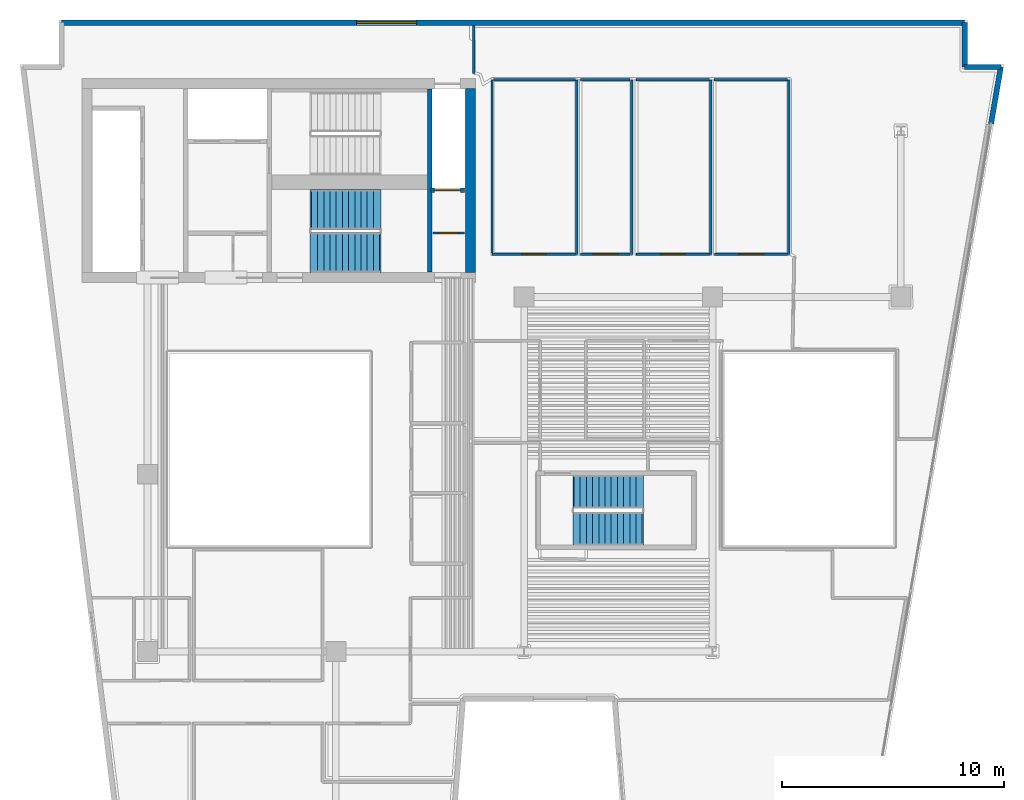
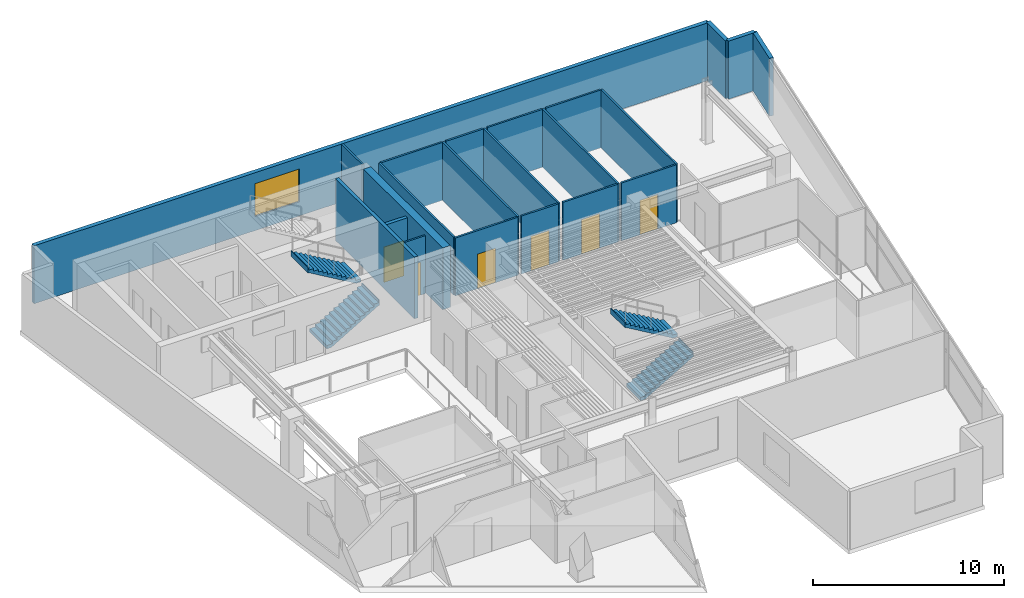
# One storey, part 6 of 10: 22 walls, 6 doors, 4 stair flights, 1 window, 7 openings, 2 elements without a shape of their own.
"""IFC4 building model written with IfcOpenShell, lengths in metres."""

from ifc_helpers import new_model, si_unit, direction, frame, frame_2d, origin, place, context, subcontext, project, spatial, polyline, rectangle, outline, extrude, material, layer, layer_set, type_object, element, fill, aggregate, save


model = new_model("IFC4")

# Units and contexts
model_context = context("Model", 3, precision=1e-05, world=origin(), true_north=direction((0.0, 1.0)))
body_context = subcontext(model_context, "Body", "Model", "MODEL_VIEW")
ifc_project = project(units=[si_unit("LENGTHUNIT", "METRE"), si_unit("AREAUNIT", "SQUARE_METRE"), si_unit("VOLUMEUNIT", "CUBIC_METRE"), si_unit("PLANEANGLEUNIT", "RADIAN"), si_unit("MASSUNIT", "GRAM", prefix="KILO")], contexts=[model_context])

# Site, building, storey
site_placement = place(None, origin())
site = spatial("IfcSite", under=ifc_project, at=site_placement, CompositionType="ELEMENT")
building_placement = place(site_placement, origin())
building = spatial("IfcBuilding", under=site, at=building_placement, Name="Caeloran Harvest Quay", CompositionType="ELEMENT")
storey_placement = place(building_placement, frame((0.0, 0.0, 219.300048828125)))
storey = spatial("IfcBuildingStorey", under=building, at=storey_placement, Name="L52", CompositionType="ELEMENT", Elevation=219.300048828125)

# Wall, opening, window
ifc_material_1 = material(Name="Precast concrete C50/60", Category="concrete")
ifc_layer_1 = layer(ifc_material_1, 0.239990234375, Name="Precast concrete C50/60")
ifc_layer_set_1 = layer_set([ifc_layer_1], Name="Precast concrete C50/60")
wall_type_1 = type_object("IfcWallType", Name="ENV-WALL-EW-240", PredefinedType="STANDARD", material=ifc_layer_set_1)
wall_1_placement = place(storey_placement, frame((4.6201171875, 43.3798828125, 0.0), z_axis=(0.0, 0.0, 1.0), x_axis=(1.0, 0.0, 0.0)))
wall_1 = element("IfcWall", 1, at=wall_1_placement, inside=storey, type_object=wall_type_1, Name="L52 Exterior Precast Concrete Facade Wall 6", PredefinedType="STANDARD", context=body_context, shape_type="SweptSolid", body=[
    extrude(rectangle(XDim=40.759765625, YDim=0.239990234375, at=frame_2d((20.3798828125, 0.0))), origin(), (0.0, 0.0, 1.0), 3.699951171875),
])
opening_1_placement = place(wall_1_placement, frame((13.323974609375, 0.0, 0.89990234375)))
opening_1 = element("IfcOpeningElement", 2, at=opening_1_placement, cuts=wall_1, Name="Opening W-07", PredefinedType="OPENING", context=body_context, shape_type="SweptSolid", body=[
    extrude(rectangle(XDim=2.699951171875, YDim=2.10009765625, at=frame_2d((1.35009765625, 1.050048828125))), frame((0.0, 0.1298828125, 0.0), z_axis=(0.0, -1.0, 0.0), x_axis=(1.0, 0.0, 0.0)), (0.0, 0.0, 1.0), 0.260009765625),
])
ifc_material_2 = material(Name="Aluminium-Framed Low-E Laminated Glass", Category="aluminium")
window_type = type_object("IfcWindowType", Name="WIN-W-07", PartitioningType="DOUBLE_PANEL_VERTICAL", PredefinedType="WINDOW", material=ifc_material_2)
window_placement = place(opening_1_placement, origin())
window = element("IfcWindow", 3, at=window_placement, inside=storey, type_object=window_type, Name="L52 Facade Punched Window W-07", OverallHeight=2.10009765625, OverallWidth=2.699951171875, PartitioningType="DOUBLE_PANEL_VERTICAL", PredefinedType="WINDOW", context=body_context, shape_type="SweptSolid", body=[
    extrude(rectangle(XDim=2.699951171875, YDim=2.10009765625, at=frame_2d((1.35009765625, 1.050048828125))), frame((0.0, 0.030029296875, 0.0), z_axis=(0.0, -1.0, 0.0), x_axis=(1.0, 0.0, 0.0)), (0.0, 0.0, 1.0), 0.06005859375),
])
fill(opening_1, window)

# Walls
wall_2_placement = place(storey_placement, frame((45.3798828125, 43.3798828125, 0.0), z_axis=(0.0, 0.0, 1.0), x_axis=(0.0, -1.0, 0.0)))
element("IfcWall", 4, at=wall_2_placement, inside=storey, type_object=wall_type_1, Name="L52 Exterior Precast Concrete Facade Wall 7", PredefinedType="STANDARD", context=body_context, shape_type="SweptSolid", body=[
    extrude(rectangle(XDim=2.0, YDim=0.239990234375, at=frame_2d((1.0, 0.0))), origin(), (0.0, 0.0, 1.0), 3.699951171875),
])
wall_3_placement = place(storey_placement, frame((45.3798828125, 41.3798828125, 0.0), z_axis=(0.0, 0.0, 1.0), x_axis=(1.0, 0.0, 0.0)))
element("IfcWall", 5, at=wall_3_placement, inside=storey, type_object=wall_type_1, Name="L52 Exterior Precast Concrete Facade Wall 8", PredefinedType="STANDARD", context=body_context, shape_type="SweptSolid", body=[
    extrude(rectangle(XDim=1.634033203125, YDim=0.239990234375, at=frame_2d((0.81689453125, 0.0))), origin(), (0.0, 0.0, 1.0), 3.699951171875),
])
wall_4_placement = place(storey_placement, frame((47.013916015625, 41.3798828125, 0.0), z_axis=(0.0, 0.0, 1.0), x_axis=(-0.169406892601, -0.985546196147, 0.0)))
element("IfcWall", 6, at=wall_4_placement, inside=storey, type_object=wall_type_1, Name="L52 Exterior Facade Corner Pier Wall 9A", PredefinedType="STANDARD", context=body_context, shape_type="SweptSolid", body=[
    extrude(rectangle(XDim=2.599853515625, YDim=0.239990234375, at=frame_2d((1.2998046875, 0.0))), origin(), (0.0, 0.0, 1.0), 3.699951171875),
])

# Wall, opening, door
ifc_material_3 = material(Name="Fire-Resisting Gypsum Core Riser Partition", Category="gypsum")
ifc_layer_2 = layer(ifc_material_3, 0.10009765625, Name="Fire-Resisting Gypsum Core Riser Partition")
ifc_layer_set_2 = layer_set([ifc_layer_2], Name="Fire-Resisting Gypsum Core Riser Partition")
wall_type_2 = type_object("IfcWallType", Name="INT-WALL-PW-100", PredefinedType="PARTITIONING", material=ifc_layer_set_2)
wall_5_placement = place(storey_placement, frame((21.3798828125, 33.889892578125, 0.0), z_axis=(0.0, 0.0, 1.0), x_axis=(1.0, 0.0, 0.0)))
wall_5 = element("IfcWall", 7, at=wall_5_placement, inside=storey, type_object=wall_type_2, Name="L52 Cleaner Store Partition Wall", PredefinedType="PARTITIONING", context=body_context, shape_type="SweptSolid", body=[
    extrude(rectangle(XDim=1.420166015625, YDim=0.10009765625, at=frame_2d((0.7099609375, 0.0))), origin(), (0.0, 0.0, 1.0), 3.699951171875),
])
opening_2_placement = place(wall_5_placement, frame((0.280029296875, 0.0, 0.0)))
opening_2 = element("IfcOpeningElement", 8, at=opening_2_placement, cuts=wall_5, Name="Opening SV-01", PredefinedType="OPENING", context=body_context, shape_type="SweptSolid", body=[
    extrude(rectangle(XDim=0.85009765625, YDim=2.10009765625, at=frame_2d((0.425048828125, 1.050048828125))), frame((0.0, 0.06005859375, 0.0), z_axis=(0.0, -1.0, 0.0), x_axis=(1.0, 0.0, 0.0)), (0.0, 0.0, 1.0), 0.1201171875),
])
ifc_material_4 = material(Name="Galvanized Painted Steel", Category="steel")
door_type_1 = type_object("IfcDoorType", Name="INTDOOR-SV-01", OperationType="NOTDEFINED", PredefinedType="DOOR", material=ifc_material_4)
door_1_placement = place(opening_2_placement, origin())
door_1 = element("IfcDoor", 9, at=door_1_placement, inside=storey, type_object=door_type_1, Name="L52 Cleaner Supply Store Access Door", OperationType="SINGLE_SWING_RIGHT", OverallHeight=2.10009765625, OverallWidth=0.85009765625, PredefinedType="DOOR", context=body_context, shape_type="SweptSolid", body=[
    extrude(rectangle(XDim=0.85009765625, YDim=2.10009765625, at=frame_2d((0.425048828125, 1.050048828125))), frame((0.0, 0.02490234375, 0.0), z_axis=(0.0, -1.0, 0.0), x_axis=(1.0, 0.0, 0.0)), (0.0, 0.0, 1.0), 0.050048828125),
])
fill(opening_2, door_1)

# Wall
ifc_material_5 = material(Name="Single-Stud Acoustic Gypsum Office Partition", Category="gypsum")
ifc_layer_3 = layer(ifc_material_5, 0.112060546875, Name="Single-Stud Acoustic Gypsum Office Partition")
ifc_layer_set_3 = layer_set([ifc_layer_3], Name="Single-Stud Acoustic Gypsum Office Partition")
wall_type_3 = type_object("IfcWallType", Name="INT-WALL-PW-112", PredefinedType="PARTITIONING", material=ifc_layer_set_3)
wall_6_placement = place(storey_placement, frame((27.8798828125, 40.800048828125, 0.0), z_axis=(0.0, 0.0, 1.0), x_axis=(0.0, -1.0, 0.0)))
element("IfcWall", 10, at=wall_6_placement, inside=storey, type_object=wall_type_3, Name="L52 Crop Phenotyping West Laboratory Partition Wall", PredefinedType="PARTITIONING", context=body_context, shape_type="SweptSolid", body=[
    extrude(rectangle(XDim=7.880126953125, YDim=0.112060546875, at=frame_2d((3.93994140625, 0.0))), origin(), (0.0, 0.0, 1.0), 3.699951171875),
])

# Wall, opening, door
wall_7_placement = place(storey_placement, frame((27.819091796875, 32.919921875, 0.0), z_axis=(0.0, 0.0, 1.0), x_axis=(-1.0, 0.0, 0.0)))
wall_7 = element("IfcWall", 11, at=wall_7_placement, inside=storey, type_object=wall_type_3, Name="L52 Crop Phenotyping West Laboratory Partition Wall", PredefinedType="PARTITIONING", context=body_context, shape_type="SweptSolid", body=[
    extrude(rectangle(XDim=3.76904296875, YDim=0.112060546875, at=frame_2d((1.884521484375, 0.0))), origin(), (0.0, 0.0, 1.0), 3.699951171875),
])
opening_3_placement = place(wall_7_placement, frame((1.33447265625, 0.0, 0.0)))
opening_3 = element("IfcOpeningElement", 12, at=opening_3_placement, cuts=wall_7, Name="Opening ID-04", PredefinedType="OPENING", context=body_context, shape_type="SweptSolid", body=[
    extrude(rectangle(XDim=1.10009765625, YDim=2.199951171875, at=frame_2d((0.550048828125, 1.10009765625))), frame((0.0, 0.06591796875, 0.0), z_axis=(0.0, -1.0, 0.0), x_axis=(1.0, 0.0, 0.0)), (0.0, 0.0, 1.0), 0.132080078125),
])
ifc_material_6 = material(Name="Acoustic Walnut Veneer Executive Door", Category="wood")
door_type_2 = type_object("IfcDoorType", Name="INTDOOR-ID-04", OperationType="NOTDEFINED", PredefinedType="DOOR", material=ifc_material_6)
door_2_placement = place(opening_3_placement, origin())
door_2 = element("IfcDoor", 13, at=door_2_placement, inside=storey, type_object=door_type_2, Name="L52 Crop Phenotyping West Laboratory Access Door", OperationType="SINGLE_SWING_LEFT", OverallHeight=2.199951171875, OverallWidth=1.10009765625, PredefinedType="DOOR", context=body_context, shape_type="SweptSolid", body=[
    extrude(rectangle(XDim=1.10009765625, YDim=2.199951171875, at=frame_2d((0.550048828125, 1.10009765625))), frame((0.0, 0.02490234375, 0.0), z_axis=(0.0, -1.0, 0.0), x_axis=(1.0, 0.0, 0.0)), (0.0, 0.0, 1.0), 0.050048828125),
])
fill(opening_3, door_2)

# Walls
wall_8_placement = place(storey_placement, frame((24.050048828125, 32.98095703125, 0.0), z_axis=(0.0, 0.0, 1.0), x_axis=(0.0, 1.0, 0.0)))
element("IfcWall", 14, at=wall_8_placement, inside=storey, type_object=wall_type_3, Name="L52 Crop Phenotyping West Laboratory Partition Wall", PredefinedType="PARTITIONING", context=body_context, shape_type="SweptSolid", body=[
    extrude(rectangle(XDim=7.819091796875, YDim=0.112060546875, at=frame_2d((3.90966796875, 0.0))), origin(), (0.0, 0.0, 1.0), 3.699951171875),
])
wall_9_placement = place(storey_placement, frame((24.111083984375, 40.800048828125, 0.0), z_axis=(0.0, 0.0, 1.0), x_axis=(1.0, 0.0, 0.0)))
element("IfcWall", 15, at=wall_9_placement, inside=storey, type_object=wall_type_3, Name="L52 Crop Phenotyping West Laboratory Partition Wall", PredefinedType="PARTITIONING", context=body_context, shape_type="SweptSolid", body=[
    extrude(rectangle(XDim=3.7080078125, YDim=0.112060546875, at=frame_2d((1.85400390625, 0.0))), origin(), (0.0, 0.0, 1.0), 3.699951171875),
])
wall_10_placement = place(storey_placement, frame((30.35009765625, 40.800048828125, 0.0), z_axis=(0.0, 0.0, 1.0), x_axis=(0.0, -1.0, 0.0)))
element("IfcWall", 16, at=wall_10_placement, inside=storey, type_object=wall_type_3, Name="L52 Genomics Sequencing East Studio Partition Wall", PredefinedType="PARTITIONING", context=body_context, shape_type="SweptSolid", body=[
    extrude(rectangle(XDim=7.880126953125, YDim=0.112060546875, at=frame_2d((3.93994140625, 0.0))), origin(), (0.0, 0.0, 1.0), 3.699951171875),
])

# Wall, opening, door
wall_11_placement = place(storey_placement, frame((30.2890625, 32.919921875, 0.0), z_axis=(0.0, 0.0, 1.0), x_axis=(-1.0, 0.0, 0.0)))
wall_11 = element("IfcWall", 17, at=wall_11_placement, inside=storey, type_object=wall_type_3, Name="L52 Genomics Sequencing East Studio Partition Wall", PredefinedType="PARTITIONING", context=body_context, shape_type="SweptSolid", body=[
    extrude(rectangle(XDim=2.2490234375, YDim=0.112060546875, at=frame_2d((1.12451171875, 0.0))), origin(), (0.0, 0.0, 1.0), 3.699951171875),
])
opening_4_placement = place(wall_11_placement, frame((0.574462890625, 0.0, 0.0)))
opening_4 = element("IfcOpeningElement", 18, at=opening_4_placement, cuts=wall_11, Name="Opening ID-04", PredefinedType="OPENING", context=body_context, shape_type="SweptSolid", body=[
    extrude(rectangle(XDim=1.10009765625, YDim=2.199951171875, at=frame_2d((0.550048828125, 1.10009765625))), frame((0.0, 0.06591796875, 0.0), z_axis=(0.0, -1.0, 0.0), x_axis=(1.0, 0.0, 0.0)), (0.0, 0.0, 1.0), 0.132080078125),
])
door_3_placement = place(opening_4_placement, origin())
door_3 = element("IfcDoor", 19, at=door_3_placement, inside=storey, type_object=door_type_2, Name="L52 Genomics Sequencing East Studio Access Door", OperationType="SINGLE_SWING_RIGHT", OverallHeight=2.199951171875, OverallWidth=1.10009765625, PredefinedType="DOOR", context=body_context, shape_type="SweptSolid", body=[
    extrude(rectangle(XDim=1.10009765625, YDim=2.199951171875, at=frame_2d((0.550048828125, 1.10009765625))), frame((0.0, 0.02490234375, 0.0), z_axis=(0.0, -1.0, 0.0), x_axis=(1.0, 0.0, 0.0)), (0.0, 0.0, 1.0), 0.050048828125),
])
fill(opening_4, door_3)

# Walls
wall_12_placement = place(storey_placement, frame((28.0400390625, 40.800048828125, 0.0), z_axis=(0.0, 0.0, 1.0), x_axis=(1.0, 0.0, 0.0)))
element("IfcWall", 20, at=wall_12_placement, inside=storey, type_object=wall_type_3, Name="L52 Genomics Sequencing East Studio Partition Wall", PredefinedType="PARTITIONING", context=body_context, shape_type="SweptSolid", body=[
    extrude(rectangle(XDim=2.2490234375, YDim=0.112060546875, at=frame_2d((1.12451171875, 0.0))), origin(), (0.0, 0.0, 1.0), 3.699951171875),
])
wall_13_placement = place(storey_placement, frame((33.919921875, 40.800048828125, 0.0), z_axis=(0.0, 0.0, 1.0), x_axis=(0.0, -1.0, 0.0)))
element("IfcWall", 21, at=wall_13_placement, inside=storey, type_object=wall_type_3, Name="L52 Agri-Genomics West Boardroom Partition Wall", PredefinedType="PARTITIONING", context=body_context, shape_type="SweptSolid", body=[
    extrude(rectangle(XDim=7.880126953125, YDim=0.112060546875, at=frame_2d((3.93994140625, 0.0))), origin(), (0.0, 0.0, 1.0), 3.699951171875),
])

# Wall, opening, door
wall_14_placement = place(storey_placement, frame((33.85888671875, 32.919921875, 0.0), z_axis=(0.0, 0.0, 1.0), x_axis=(-1.0, 0.0, 0.0)))
wall_14 = element("IfcWall", 22, at=wall_14_placement, inside=storey, type_object=wall_type_3, Name="L52 Agri-Genomics West Boardroom Partition Wall", PredefinedType="PARTITIONING", context=body_context, shape_type="SweptSolid", body=[
    extrude(rectangle(XDim=3.308837890625, YDim=0.112060546875, at=frame_2d((1.654296875, 0.0))), origin(), (0.0, 0.0, 1.0), 3.699951171875),
])
opening_5_placement = place(wall_14_placement, frame((1.1044921875, 0.0, 0.0)))
opening_5 = element("IfcOpeningElement", 23, at=opening_5_placement, cuts=wall_14, Name="Opening ID-04", PredefinedType="OPENING", context=body_context, shape_type="SweptSolid", body=[
    extrude(rectangle(XDim=1.10009765625, YDim=2.199951171875, at=frame_2d((0.550048828125, 1.10009765625))), frame((0.0, 0.06591796875, 0.0), z_axis=(0.0, -1.0, 0.0), x_axis=(1.0, 0.0, 0.0)), (0.0, 0.0, 1.0), 0.132080078125),
])
door_4_placement = place(opening_5_placement, origin())
door_4 = element("IfcDoor", 24, at=door_4_placement, inside=storey, type_object=door_type_2, Name="L52 Agri-Genomics West Boardroom Access Door", OperationType="SINGLE_SWING_LEFT", OverallHeight=2.199951171875, OverallWidth=1.10009765625, PredefinedType="DOOR", context=body_context, shape_type="SweptSolid", body=[
    extrude(rectangle(XDim=1.10009765625, YDim=2.199951171875, at=frame_2d((0.550048828125, 1.10009765625))), frame((0.0, 0.02490234375, 0.0), z_axis=(0.0, -1.0, 0.0), x_axis=(1.0, 0.0, 0.0)), (0.0, 0.0, 1.0), 0.050048828125),
])
fill(opening_5, door_4)

# Walls
wall_15_placement = place(storey_placement, frame((30.550048828125, 40.800048828125, 0.0), z_axis=(0.0, 0.0, 1.0), x_axis=(1.0, 0.0, 0.0)))
element("IfcWall", 25, at=wall_15_placement, inside=storey, type_object=wall_type_3, Name="L52 Agri-Genomics West Boardroom Partition Wall", PredefinedType="PARTITIONING", context=body_context, shape_type="SweptSolid", body=[
    extrude(rectangle(XDim=3.308837890625, YDim=0.112060546875, at=frame_2d((1.654296875, 0.0))), origin(), (0.0, 0.0, 1.0), 3.699951171875),
])
wall_16_placement = place(storey_placement, frame((37.449951171875, 40.800048828125, 0.0), z_axis=(0.0, 0.0, 1.0), x_axis=(0.0, -1.0, 0.0)))
element("IfcWall", 26, at=wall_16_placement, inside=storey, type_object=wall_type_3, Name="L52 Executive Strategy East Office Partition Wall", PredefinedType="PARTITIONING", context=body_context, shape_type="SweptSolid", body=[
    extrude(rectangle(XDim=7.880126953125, YDim=0.112060546875, at=frame_2d((3.93994140625, 0.0))), origin(), (0.0, 0.0, 1.0), 3.699951171875),
])

# Wall, opening, door
wall_17_placement = place(storey_placement, frame((37.388916015625, 32.919921875, 0.0), z_axis=(0.0, 0.0, 1.0), x_axis=(-1.0, 0.0, 0.0)))
wall_17 = element("IfcWall", 27, at=wall_17_placement, inside=storey, type_object=wall_type_3, Name="L52 Executive Strategy East Office Partition Wall", PredefinedType="PARTITIONING", context=body_context, shape_type="SweptSolid", body=[
    extrude(rectangle(XDim=3.308837890625, YDim=0.112060546875, at=frame_2d((1.654296875, 0.0))), origin(), (0.0, 0.0, 1.0), 3.699951171875),
])
opening_6_placement = place(wall_17_placement, frame((1.1044921875, 0.0, 0.0)))
opening_6 = element("IfcOpeningElement", 28, at=opening_6_placement, cuts=wall_17, Name="Opening ID-04", PredefinedType="OPENING", context=body_context, shape_type="SweptSolid", body=[
    extrude(rectangle(XDim=1.10009765625, YDim=2.199951171875, at=frame_2d((0.550048828125, 1.10009765625))), frame((0.0, 0.06591796875, 0.0), z_axis=(0.0, -1.0, 0.0), x_axis=(1.0, 0.0, 0.0)), (0.0, 0.0, 1.0), 0.132080078125),
])
door_5_placement = place(opening_6_placement, origin())
door_5 = element("IfcDoor", 29, at=door_5_placement, inside=storey, type_object=door_type_2, Name="L52 Executive Strategy East Office Access Door", OperationType="SINGLE_SWING_RIGHT", OverallHeight=2.199951171875, OverallWidth=1.10009765625, PredefinedType="DOOR", context=body_context, shape_type="SweptSolid", body=[
    extrude(rectangle(XDim=1.10009765625, YDim=2.199951171875, at=frame_2d((0.550048828125, 1.10009765625))), frame((0.0, 0.02490234375, 0.0), z_axis=(0.0, -1.0, 0.0), x_axis=(1.0, 0.0, 0.0)), (0.0, 0.0, 1.0), 0.050048828125),
])
fill(opening_6, door_5)

# Walls
wall_18_placement = place(storey_placement, frame((34.080078125, 40.800048828125, 0.0), z_axis=(0.0, 0.0, 1.0), x_axis=(1.0, 0.0, 0.0)))
element("IfcWall", 30, at=wall_18_placement, inside=storey, type_object=wall_type_3, Name="L52 Executive Strategy East Office Partition Wall", PredefinedType="PARTITIONING", context=body_context, shape_type="SweptSolid", body=[
    extrude(rectangle(XDim=3.308837890625, YDim=0.112060546875, at=frame_2d((1.654296875, 0.0))), origin(), (0.0, 0.0, 1.0), 3.699951171875),
])
wall_19_placement = place(storey_placement, frame((23.22998046875, 41.093017578125, 0.0), z_axis=(0.0, 0.0, 1.0), x_axis=(0.0, 1.0, 0.0)))
element("IfcWall", 31, at=wall_19_placement, inside=storey, type_object=wall_type_3, Name="Portfolio Catering Kitchen 10 Partition Wall", PredefinedType="PARTITIONING", context=body_context, shape_type="SweptSolid", body=[
    extrude(rectangle(XDim=2.161865234375, YDim=0.112060546875, at=frame_2d((1.0810546875, 0.0))), origin(), (0.0, 0.0, 1.0), 3.699951171875),
])

# Wall, opening, door
ifc_material_7 = material(Name="Concrete C50/60", Category="concrete")
ifc_layer_4 = layer(ifc_material_7, 0.199951171875, Name="Concrete C50/60")
ifc_layer_set_4 = layer_set([ifc_layer_4], Name="Concrete C50/60")
wall_type_4 = type_object("IfcWallType", Name="INT-WALL-SW-200", PredefinedType="PARTITIONING", material=ifc_layer_set_4)
wall_20_placement = place(storey_placement, frame((21.300048828125, 35.820068359375, 0.0), z_axis=(0.0, 0.0, 1.0), x_axis=(1.0, 0.0, 0.0)))
wall_20 = element("IfcWall", 32, at=wall_20_placement, inside=storey, type_object=wall_type_4, Name="L52 Service Lift SV-2 Shaft Wall", PredefinedType="PARTITIONING", context=body_context, shape_type="SweptSolid", body=[
    extrude(rectangle(XDim=1.5, YDim=0.199951171875, at=frame_2d((0.75, 0.0))), origin(), (0.0, 0.0, 1.0), 3.699951171875),
])
opening_7_placement = place(wall_20_placement, frame((0.14501953125, 0.0, 0.0)))
opening_7 = element("IfcOpeningElement", 33, at=opening_7_placement, cuts=wall_20, Name="Opening LD-02", PredefinedType="OPENING", context=body_context, shape_type="SweptSolid", body=[
    extrude(rectangle(XDim=1.179931640625, YDim=2.25, at=frame_2d((0.58984375, 1.125))), frame((0.0, 0.10986328125, 0.0), z_axis=(0.0, -1.0, 0.0), x_axis=(1.0, 0.0, 0.0)), (0.0, 0.0, 1.0), 0.219970703125),
])
ifc_material_8 = material(Name="Stainless Steel Grade 316", Category="steel")
door_type_3 = type_object("IfcDoorType", Name="INTDOOR-LD-02", OperationType="NOTDEFINED", PredefinedType="DOOR", material=ifc_material_8)
door_6_placement = place(opening_7_placement, origin())
door_6 = element("IfcDoor", 34, at=door_6_placement, inside=storey, type_object=door_type_3, Name="Lift SV-2 Sliding Landing Door (L52)", OperationType="DOUBLE_DOOR_SLIDING", OverallHeight=2.25, OverallWidth=1.179931640625, PredefinedType="DOOR", context=body_context, shape_type="SweptSolid", body=[
    extrude(rectangle(XDim=1.179931640625, YDim=2.25, at=frame_2d((0.58984375, 1.125))), frame((0.0, 0.02490234375, 0.0), z_axis=(0.0, -1.0, 0.0), x_axis=(1.0, 0.0, 0.0)), (0.0, 0.0, 1.0), 0.050048828125),
])
fill(opening_7, door_6)

# Walls
ifc_material_9 = material(Name="Concrete C60/75", Category="concrete")
ifc_layer_5 = layer(ifc_material_9, 0.449951171875, Name="Concrete C60/75")
ifc_layer_set_5 = layer_set([ifc_layer_5], Name="Concrete C60/75")
wall_type_5 = type_object("IfcWallType", Name="STR-WALL-CW-450", PredefinedType="SHEAR", material=ifc_layer_set_5)
wall_21_placement = place(storey_placement, frame((23.074951171875, 32.10009765625, 0.0), z_axis=(0.0, 0.0, 1.0), x_axis=(0.0, 1.0, 0.0)))
element("IfcWall", 35, at=wall_21_placement, inside=storey, type_object=wall_type_5, Name="L52 Rear Core Shear Wall E", PredefinedType="SHEAR", context=body_context, shape_type="SweptSolid", body=[
    extrude(rectangle(XDim=8.2998046875, YDim=0.449951171875, at=frame_2d((4.14990234375, 0.0))), origin(), (0.0, 0.0, 1.0), 3.949951171875),
])
ifc_layer_6 = layer(ifc_material_9, 0.199951171875, Name="Concrete C60/75")
ifc_layer_set_6 = layer_set([ifc_layer_6], Name="Concrete C60/75")
wall_type_6 = type_object("IfcWallType", Name="STR-WALL-SW-200", PredefinedType="SHEAR", material=ifc_layer_set_6)
wall_22_placement = place(storey_placement, frame((21.25, 32.1201171875, 0.0), z_axis=(0.0, 0.0, 1.0), x_axis=(0.0, 1.0, 0.0)))
element("IfcWall", 36, at=wall_22_placement, inside=storey, type_object=wall_type_6, Name="L52 Core Stair Shaft East Shear Wall", PredefinedType="SHEAR", context=body_context, shape_type="SweptSolid", body=[
    extrude(rectangle(XDim=8.259765625, YDim=0.199951171875, at=frame_2d((4.1298828125, 0.0))), origin(), (0.0, 0.0, 1.0), 3.949951171875),
])

# Stair, stair flights
stair_type_1 = type_object("IfcStairType", Name="STAIR-STC-180", PredefinedType="HALF_TURN_STAIR", material=ifc_material_7)
stair_1_placement = place(storey_placement, origin())
stair_1 = element("IfcStair", 37, at=stair_1_placement, inside=storey, type_object=stair_type_1, Name="L52 Core Pressurized Exit Stair ST-C2", PredefinedType="HALF_TURN_STAIR")
stair_flight_type_1 = type_object("IfcStairFlightType", Name="FLIGHT-STC-180", PredefinedType="STRAIGHT", material=ifc_material_7)
stair_flight_1_placement = place(storey_placement, frame((15.89990234375, 33.0, 0.0), z_axis=(0.0, 0.0, 1.0), x_axis=(1.0, 0.0, 0.0)))
stair_flight_1 = element("IfcStairFlight", 38, at=stair_flight_1_placement, type_object=stair_flight_type_1, Name="ST-C2 flight 1", NumberOfRisers=12, NumberOfTreads=11, PredefinedType="STRAIGHT", RiserHeight=0.164583333, TreadLength=0.28, context=body_context, shape_type="SweptSolid", body=[
    extrude(outline(polyline([(-0.054931640625, -0.044921875), (-0.054931640625, -0.031982421875), (-0.054931640625, -0.018798828125), (-0.054931640625, -0.005615234375), (-0.054931640625, 0.00732421875), (-0.054931640625, 0.0205078125), (-0.054931640625, 0.03369140625), (-0.054931640625, 0.046630859375), (-0.054931640625, 0.059814453125), (-0.054931640625, 0.072998046875), (-0.054931640625, 0.0859375), (-0.054931640625, 0.09912109375), (-0.054931640625, 0.1123046875), (-0.054931640625, 0.125244140625), (-0.054931640625, 0.138427734375), (-0.054931640625, 0.1513671875), (-0.054931640625, 0.16455078125), (0.280029296875, 0.16455078125), (0.280029296875, 0.3291015625), (0.56005859375, 0.3291015625), (0.56005859375, 0.49365234375), (0.840087890625, 0.49365234375), (0.840087890625, 0.658447265625), (1.1201171875, 0.658447265625), (1.1201171875, 0.822998046875), (1.39990234375, 0.822998046875), (1.39990234375, 0.987548828125), (1.679931640625, 0.987548828125), (1.679931640625, 1.152099609375), (1.9599609375, 1.152099609375), (1.9599609375, 1.316650390625), (2.239990234375, 1.316650390625), (2.239990234375, 1.481201171875), (2.52001953125, 1.481201171875), (2.52001953125, 1.645751953125), (2.800048828125, 1.645751953125), (2.800048828125, 1.810302734375), (3.080078125, 1.810302734375), (3.080078125, 1.97509765625), (3.135009765625, 1.97509765625), (3.135009765625, 1.953857421875), (3.135009765625, 1.9326171875), (3.135009765625, 1.91162109375), (3.135009765625, 1.890380859375), (3.135009765625, 1.869140625), (3.135009765625, 1.84814453125), (3.135009765625, 1.826904296875), (3.135009765625, 1.8056640625), (3.135009765625, 1.78466796875), (3.135009765625, 1.763427734375), (3.135009765625, 1.7421875), (3.135009765625, 1.72119140625), (3.135009765625, 1.699951171875), (3.135009765625, 1.678955078125), (3.135009765625, 1.65771484375), (3.135009765625, 1.636474609375), (3.080078125, 1.636474609375), (0.21923828125, -0.044921875), (-0.054931640625, -0.044921875)])), frame((0.0, 0.89990234375, 0.0), z_axis=(0.0, -1.0, 0.0), x_axis=(1.0, 0.0, 0.0)), (0.0, 0.0, 1.0), 1.800048828125),
])
stair_flight_2_placement = place(storey_placement, frame((18.97998046875, 34.949951171875, 1.974853515625), z_axis=(0.0, 0.0, 1.0), x_axis=(-1.0, 0.0, 0.0)))
stair_flight_2 = element("IfcStairFlight", 39, at=stair_flight_2_placement, type_object=stair_flight_type_1, Name="ST-C2 flight 2", NumberOfRisers=12, NumberOfTreads=11, PredefinedType="STRAIGHT", RiserHeight=0.164583333, TreadLength=0.28, context=body_context, shape_type="SweptSolid", body=[
    extrude(outline(polyline([(-0.054931640625, -0.044921875), (-0.054931640625, -0.031982421875), (-0.054931640625, -0.018798828125), (-0.054931640625, -0.005615234375), (-0.054931640625, 0.00732421875), (-0.054931640625, 0.0205078125), (-0.054931640625, 0.03369140625), (-0.054931640625, 0.046630859375), (-0.054931640625, 0.059814453125), (-0.054931640625, 0.072998046875), (-0.054931640625, 0.0859375), (-0.054931640625, 0.09912109375), (-0.054931640625, 0.1123046875), (-0.054931640625, 0.125244140625), (-0.054931640625, 0.138427734375), (-0.054931640625, 0.1513671875), (-0.054931640625, 0.16455078125), (0.280029296875, 0.16455078125), (0.280029296875, 0.3291015625), (0.56005859375, 0.3291015625), (0.56005859375, 0.49365234375), (0.840087890625, 0.49365234375), (0.840087890625, 0.658447265625), (1.1201171875, 0.658447265625), (1.1201171875, 0.822998046875), (1.39990234375, 0.822998046875), (1.39990234375, 0.987548828125), (1.679931640625, 0.987548828125), (1.679931640625, 1.152099609375), (1.9599609375, 1.152099609375), (1.9599609375, 1.316650390625), (2.239990234375, 1.316650390625), (2.239990234375, 1.481201171875), (2.52001953125, 1.481201171875), (2.52001953125, 1.645751953125), (2.800048828125, 1.645751953125), (2.800048828125, 1.810302734375), (3.080078125, 1.810302734375), (3.080078125, 1.97509765625), (3.135009765625, 1.97509765625), (3.135009765625, 1.953857421875), (3.135009765625, 1.9326171875), (3.135009765625, 1.91162109375), (3.135009765625, 1.890380859375), (3.135009765625, 1.869140625), (3.135009765625, 1.84814453125), (3.135009765625, 1.826904296875), (3.135009765625, 1.8056640625), (3.135009765625, 1.78466796875), (3.135009765625, 1.763427734375), (3.135009765625, 1.7421875), (3.135009765625, 1.72119140625), (3.135009765625, 1.699951171875), (3.135009765625, 1.678955078125), (3.135009765625, 1.65771484375), (3.135009765625, 1.636474609375), (3.080078125, 1.636474609375), (0.21923828125, -0.044921875), (-0.054931640625, -0.044921875)])), frame((0.0, 0.89990234375, 0.0), z_axis=(0.0, -1.0, 0.0), x_axis=(1.0, 0.0, 0.0)), (0.0, 0.0, 1.0), 1.800048828125),
])
aggregate(stair_1, [stair_flight_1, stair_flight_2])

stair_type_2 = type_object("IfcStairType", Name="STAIR-STW-150", PredefinedType="HALF_TURN_STAIR", material=ifc_material_7)
stair_2_placement = place(storey_placement, origin())
stair_2 = element("IfcStair", 40, at=stair_2_placement, inside=storey, type_object=stair_type_2, Name="L52 East Wing Protected Exit Stair ST-W1", PredefinedType="HALF_TURN_STAIR")
stair_flight_type_2 = type_object("IfcStairFlightType", Name="FLIGHT-STW-150", PredefinedType="STRAIGHT", material=ifc_material_7)
stair_flight_3_placement = place(storey_placement, frame((27.75, 20.550048828125, 0.0), z_axis=(0.0, 0.0, 1.0), x_axis=(1.0, 0.0, 0.0)))
stair_flight_3 = element("IfcStairFlight", 41, at=stair_flight_3_placement, type_object=stair_flight_type_2, Name="ST-W1 flight 1", NumberOfRisers=12, NumberOfTreads=11, PredefinedType="STRAIGHT", RiserHeight=0.164583333, TreadLength=0.28, context=body_context, shape_type="SweptSolid", body=[
    extrude(outline(polyline([(-0.054931640625, -0.044921875), (-0.054931640625, -0.031982421875), (-0.054931640625, -0.018798828125), (-0.054931640625, -0.005615234375), (-0.054931640625, 0.00732421875), (-0.054931640625, 0.0205078125), (-0.054931640625, 0.03369140625), (-0.054931640625, 0.046630859375), (-0.054931640625, 0.059814453125), (-0.054931640625, 0.072998046875), (-0.054931640625, 0.0859375), (-0.054931640625, 0.09912109375), (-0.054931640625, 0.1123046875), (-0.054931640625, 0.125244140625), (-0.054931640625, 0.138427734375), (-0.054931640625, 0.1513671875), (-0.054931640625, 0.16455078125), (0.280029296875, 0.16455078125), (0.280029296875, 0.3291015625), (0.56005859375, 0.3291015625), (0.56005859375, 0.49365234375), (0.840087890625, 0.49365234375), (0.840087890625, 0.658447265625), (1.1201171875, 0.658447265625), (1.1201171875, 0.822998046875), (1.39990234375, 0.822998046875), (1.39990234375, 0.987548828125), (1.679931640625, 0.987548828125), (1.679931640625, 1.152099609375), (1.9599609375, 1.152099609375), (1.9599609375, 1.316650390625), (2.239990234375, 1.316650390625), (2.239990234375, 1.481201171875), (2.52001953125, 1.481201171875), (2.52001953125, 1.645751953125), (2.800048828125, 1.645751953125), (2.800048828125, 1.810302734375), (3.080078125, 1.810302734375), (3.080078125, 1.97509765625), (3.135009765625, 1.97509765625), (3.135009765625, 1.953857421875), (3.135009765625, 1.9326171875), (3.135009765625, 1.91162109375), (3.135009765625, 1.890380859375), (3.135009765625, 1.869140625), (3.135009765625, 1.84814453125), (3.135009765625, 1.826904296875), (3.135009765625, 1.8056640625), (3.135009765625, 1.78466796875), (3.135009765625, 1.763427734375), (3.135009765625, 1.7421875), (3.135009765625, 1.72119140625), (3.135009765625, 1.699951171875), (3.135009765625, 1.678955078125), (3.135009765625, 1.65771484375), (3.135009765625, 1.636474609375), (3.080078125, 1.636474609375), (0.21923828125, -0.044921875), (-0.054931640625, -0.044921875)])), frame((0.0, 0.75, 0.0), z_axis=(0.0, -1.0, 0.0), x_axis=(1.0, 0.0, 0.0)), (0.0, 0.0, 1.0), 1.5),
])
stair_flight_4_placement = place(storey_placement, frame((30.830078125, 22.199951171875, 1.974853515625), z_axis=(0.0, 0.0, 1.0), x_axis=(-1.0, 0.0, 0.0)))
stair_flight_4 = element("IfcStairFlight", 42, at=stair_flight_4_placement, type_object=stair_flight_type_2, Name="ST-W1 flight 2", NumberOfRisers=12, NumberOfTreads=11, PredefinedType="STRAIGHT", RiserHeight=0.164583333, TreadLength=0.28, context=body_context, shape_type="SweptSolid", body=[
    extrude(outline(polyline([(-0.054931640625, -0.044921875), (-0.054931640625, -0.031982421875), (-0.054931640625, -0.018798828125), (-0.054931640625, -0.005615234375), (-0.054931640625, 0.00732421875), (-0.054931640625, 0.0205078125), (-0.054931640625, 0.03369140625), (-0.054931640625, 0.046630859375), (-0.054931640625, 0.059814453125), (-0.054931640625, 0.072998046875), (-0.054931640625, 0.0859375), (-0.054931640625, 0.09912109375), (-0.054931640625, 0.1123046875), (-0.054931640625, 0.125244140625), (-0.054931640625, 0.138427734375), (-0.054931640625, 0.1513671875), (-0.054931640625, 0.16455078125), (0.280029296875, 0.16455078125), (0.280029296875, 0.3291015625), (0.56005859375, 0.3291015625), (0.56005859375, 0.49365234375), (0.840087890625, 0.49365234375), (0.840087890625, 0.658447265625), (1.1201171875, 0.658447265625), (1.1201171875, 0.822998046875), (1.39990234375, 0.822998046875), (1.39990234375, 0.987548828125), (1.679931640625, 0.987548828125), (1.679931640625, 1.152099609375), (1.9599609375, 1.152099609375), (1.9599609375, 1.316650390625), (2.239990234375, 1.316650390625), (2.239990234375, 1.481201171875), (2.52001953125, 1.481201171875), (2.52001953125, 1.645751953125), (2.800048828125, 1.645751953125), (2.800048828125, 1.810302734375), (3.080078125, 1.810302734375), (3.080078125, 1.97509765625), (3.135009765625, 1.97509765625), (3.135009765625, 1.953857421875), (3.135009765625, 1.9326171875), (3.135009765625, 1.91162109375), (3.135009765625, 1.890380859375), (3.135009765625, 1.869140625), (3.135009765625, 1.84814453125), (3.135009765625, 1.826904296875), (3.135009765625, 1.8056640625), (3.135009765625, 1.78466796875), (3.135009765625, 1.763427734375), (3.135009765625, 1.7421875), (3.135009765625, 1.72119140625), (3.135009765625, 1.699951171875), (3.135009765625, 1.678955078125), (3.135009765625, 1.65771484375), (3.135009765625, 1.636474609375), (3.080078125, 1.636474609375), (0.21923828125, -0.044921875), (-0.054931640625, -0.044921875)])), frame((0.0, 0.75, 0.0), z_axis=(0.0, -1.0, 0.0), x_axis=(1.0, 0.0, 0.0)), (0.0, 0.0, 1.0), 1.5),
])
aggregate(stair_2, [stair_flight_3, stair_flight_4])

save(model, "model.ifc")
